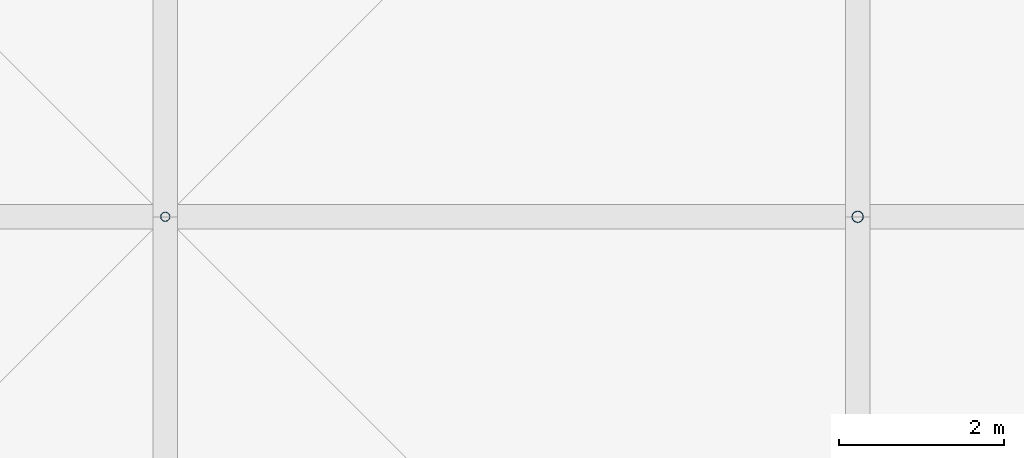
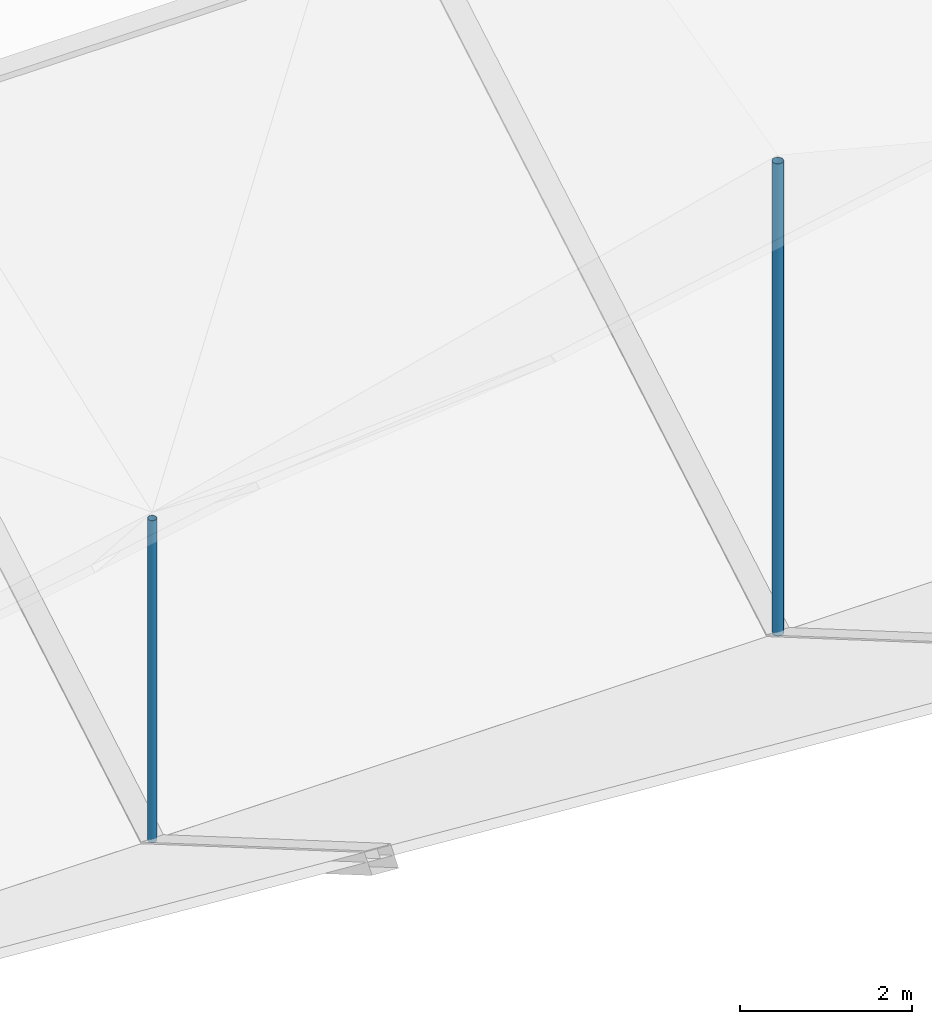
# One storey, part 74 of 111: 2 discrete accessories.
"""IFC4 building model written with IfcOpenShell, lengths in metres."""

from ifc_helpers import new_model, si_unit, direction, frame, origin, origin_2d, place, context, subcontext, project, spatial, hollow_circle, extrude, material, material_profile, profile_set, type_object, element, save


model = new_model("IFC4")

# Units and contexts
model_context = context("Model", 3, precision=1e-05, world=origin(), true_north=direction((0.0, 1.0)))
body_context = subcontext(model_context, "Body", "Model", "MODEL_VIEW")
ifc_project = project(units=[si_unit("LENGTHUNIT", "METRE"), si_unit("AREAUNIT", "SQUARE_METRE"), si_unit("VOLUMEUNIT", "CUBIC_METRE"), si_unit("PLANEANGLEUNIT", "RADIAN"), si_unit("MASSUNIT", "GRAM", prefix="KILO")], contexts=[model_context])

# Site, building, storey
site_placement = place(None, origin())
site = spatial("IfcSite", under=ifc_project, at=site_placement, CompositionType="ELEMENT")
building_placement = place(site_placement, origin())
building = spatial("IfcBuilding", under=site, at=building_placement, Name="Rain Tree Exposition and Congress Centre", CompositionType="ELEMENT")
storey_placement = place(building_placement, frame((0.0, 0.0, 19.5)))
storey = spatial("IfcBuildingStorey", under=building, at=storey_placement, Name="RF", CompositionType="ELEMENT", Elevation=19.5)

# Discrete accessories
ifc_material_1 = material(Name="Steel S355J2H", Category="steel")
ifc_material_profile_1 = material_profile(ifc_material_1, hollow_circle(Radius=0.05712890625, WallThickness=0.00439453125, at=origin_2d()), Name="CHS 114x4.5")
ifc_profile_set_1 = profile_set([ifc_material_profile_1], Name="Steel S355J2H")
discrete_accessory_type_1 = type_object("IfcDiscreteAccessoryType", Name="Roof skin post CHS 114x4.5", PredefinedType="BRACKET", material=ifc_profile_set_1)
discrete_accessory_1_placement = place(storey_placement, frame((176.39990234375, 151.199951171875, 0.5), z_axis=(0.0, 0.0, 1.0), x_axis=(1.0, 0.0, 0.0)))
element("IfcDiscreteAccessory", 1, at=discrete_accessory_1_placement, inside=storey, type_object=discrete_accessory_type_1, Name="Roof skin post B83", PredefinedType="BRACKET", context=body_context, shape_type="SweptSolid", body=[
    extrude(hollow_circle(Radius=0.05712890625, WallThickness=0.00439453125, at=origin_2d()), origin(), (0.0, 0.0, 1.0), 4.572021484375),
])
ifc_material_2 = material(Name="Steel S355J2H", Category="steel")
ifc_material_profile_2 = material_profile(ifc_material_2, hollow_circle(Radius=0.06982421875, WallThickness=0.0048828125, at=origin_2d()), Name="CHS 140x5")
ifc_profile_set_2 = profile_set([ifc_material_profile_2], Name="Steel S355J2H")
discrete_accessory_type_2 = type_object("IfcDiscreteAccessoryType", Name="Roof skin post CHS 140x5", PredefinedType="BRACKET", material=ifc_profile_set_2)
discrete_accessory_2_placement = place(storey_placement, frame((184.800048828125, 151.199951171875, 0.5), z_axis=(0.0, 0.0, 1.0), x_axis=(1.0, 0.0, 0.0)))
element("IfcDiscreteAccessory", 2, at=discrete_accessory_2_placement, inside=storey, type_object=discrete_accessory_type_2, Name="Roof skin post B84", PredefinedType="BRACKET", context=body_context, shape_type="SweptSolid", body=[
    extrude(hollow_circle(Radius=0.06982421875, WallThickness=0.0048828125, at=origin_2d()), origin(), (0.0, 0.0, 1.0), 6.70458984375),
])

save(model, "model.ifc")
